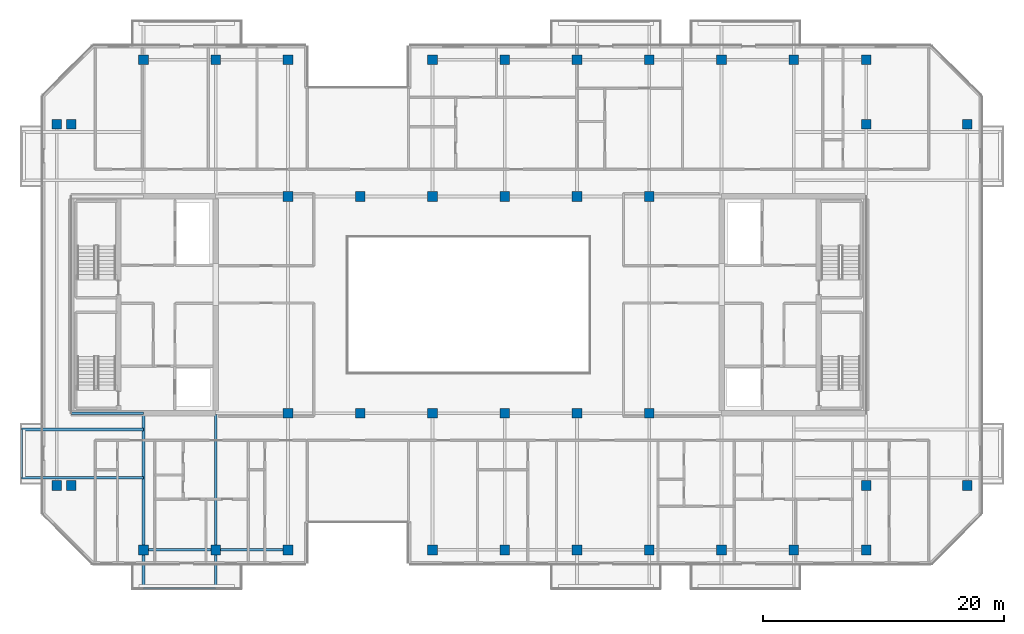
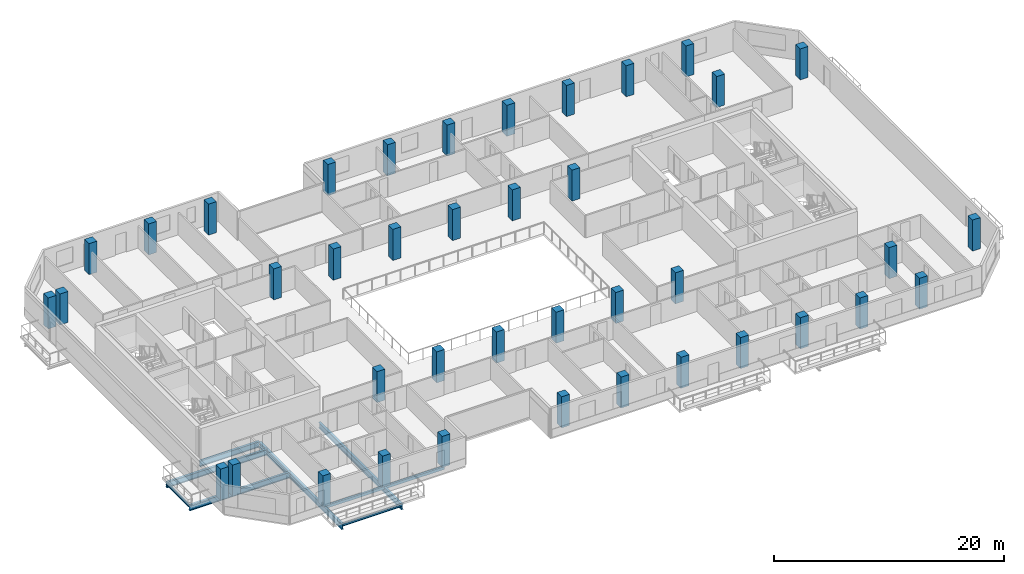
# One storey, part 1 of 20: 40 columns, 9 beams.
"""IFC4 building model written with IfcOpenShell, lengths in metres."""

from ifc_helpers import new_model, si_unit, direction, frame, origin, origin_2d, place, context, subcontext, project, spatial, rectangle, hollow_rectangle, i_section, extrude, material, material_profile, profile_set, type_object, element, save


model = new_model("IFC4")

# Units and contexts
model_context = context("Model", 3, precision=1e-05, world=origin(), true_north=direction((0.0, 1.0)))
body_context = subcontext(model_context, "Body", "Model", "MODEL_VIEW")
ifc_project = project(units=[si_unit("LENGTHUNIT", "METRE"), si_unit("AREAUNIT", "SQUARE_METRE"), si_unit("VOLUMEUNIT", "CUBIC_METRE"), si_unit("PLANEANGLEUNIT", "RADIAN"), si_unit("MASSUNIT", "GRAM", prefix="KILO")], contexts=[model_context])

# Site, building, storey
site_placement = place(None, origin())
site = spatial("IfcSite", under=ifc_project, at=site_placement, CompositionType="ELEMENT")
building_placement = place(site_placement, origin())
building = spatial("IfcBuilding", under=site, at=building_placement, Name="Tanjung Sevakor Pilgrim Tower", CompositionType="ELEMENT")
storey_placement = place(building_placement, frame((0.0, 0.0, 201.6298828125)))
storey = spatial("IfcBuildingStorey", under=building, at=storey_placement, Name="L56", CompositionType="ELEMENT", Elevation=201.6298828125)

# Columns
ifc_material_1 = material(Name="Concrete C60/75", Category="concrete")
ifc_material_profile_1 = material_profile(ifc_material_1, rectangle(XDim=0.800048828125, YDim=0.800048828125, at=origin_2d()))
ifc_profile_set_1 = profile_set([ifc_material_profile_1], Name="Concrete C60/75")
column_type = type_object("IfcColumnType", Name="COL-C-T800-RC_800x800", PredefinedType="COLUMN", material=ifc_profile_set_1)
for number, where, z_axis, x_axis, name in (
    (1, (42.0, 24.60009765625, 0.0), (0.0, 0.0, 1.0), (1.0, 0.0, 0.0), "L56 Column SPW-042-246"),
    (2, (42.0, 42.60009765625, 0.0), (0.0, 0.0, 1.0), (1.0, 0.0, 0.0), "L56 Column SPW-042-426"),
    (3, (48.0, 24.60009765625, 0.0), (0.0, 0.0, 1.0), (1.0, 0.0, 0.0), "L56 Column SPW-048-246"),
    (4, (48.0, 42.60009765625, 0.0), (0.0, 0.0, 1.0), (1.0, 0.0, 0.0), "L56 Column SPW-048-426"),
    (5, (54.0, 24.60009765625, 0.0), (0.0, 0.0, 1.0), (1.0, 0.0, 0.0), "L56 Column SPE-054-246"),
    (6, (54.0, 42.60009765625, 0.0), (0.0, 0.0, 1.0), (1.0, 0.0, 0.0), "L56 Column SPE-054-426"),
    (7, (60.0, 24.60009765625, 0.0), (0.0, 0.0, 1.0), (1.0, 0.0, 0.0), "L56 Column SPE-060-246"),
    (8, (60.0, 42.60009765625, 0.0), (0.0, 0.0, 1.0), (1.0, 0.0, 0.0), "L56 Column SPE-060-426"),
    (9, (66.0, 24.60009765625, 0.0), (0.0, 0.0, 1.0), (1.0, 0.0, 0.0), "L56 Column SPE-066-246"),
    (10, (66.0, 42.60009765625, 0.0), (0.0, 0.0, 1.0), (1.0, 0.0, 0.0), "L56 Column SPE-066-426"),
    (11, (72.0, 24.60009765625, 0.0), (0.0, 0.0, 1.0), (1.0, 0.0, 0.0), "L56 Column SPE-072-246"),
    (12, (72.0, 42.60009765625, 0.0), (0.0, 0.0, 1.0), (1.0, 0.0, 0.0), "L56 Column SPE-072-426"),
    (13, (22.800048828125, 18.60009765625, 0.0), (0.0, 0.0, 1.0), (1.0, 0.0, 0.0), "L56 Column TCE-0228-186"),
    (14, (22.800048828125, 48.60009765625, 0.0), (0.0, 0.0, 1.0), (1.0, 0.0, 0.0), "L56 Column TCE-0228-486"),
    (15, (24.0, 18.60009765625, 0.0), (0.0, 0.0, 1.0), (1.0, 0.0, 0.0), "L56 Column TCE-0240-186"),
    (16, (24.0, 48.60009765625, 0.0), (0.0, 0.0, 1.0), (1.0, 0.0, 0.0), "L56 Column TCE-0240-486"),
    (17, (90.0, 18.60009765625, 0.0), (0.0, 0.0, 1.0), (1.0, 0.0, 0.0), "L56 Column TCE-0900-186"),
    (18, (90.0, 48.60009765625, 0.0), (0.0, 0.0, 1.0), (1.0, 0.0, 0.0), "L56 Column TCE-0900-486"),
    (19, (98.39990234375, 18.60009765625, 0.0), (0.0, 0.0, 1.0), (1.0, 0.0, 0.0), "L56 Column TCE-0984-186"),
    (20, (98.39990234375, 48.60009765625, 0.0), (0.0, 0.0, 1.0), (1.0, 0.0, 0.0), "L56 Column TCE-0984-486"),
    (21, (30.0, 13.25, 0.0), (0.0, 0.0, 1.0), (1.0, 0.0, 0.0), "L56 Column TC4-030-132"),
    (22, (30.0, 53.949951171875, 0.0), (0.0, 0.0, 1.0), (1.0, 0.0, 0.0), "L56 Column TC4-030-540"),
    (23, (36.0, 13.25, 0.0), (0.0, 0.0, 1.0), (1.0, 0.0, 0.0), "L56 Column TC4-036-132"),
    (24, (36.0, 53.949951171875, 0.0), (0.0, 0.0, 1.0), (1.0, 0.0, 0.0), "L56 Column TC4-036-540"),
    (25, (42.0, 13.25, 0.0), (0.0, 0.0, 1.0), (1.0, 0.0, 0.0), "L56 Column TC4-042-132"),
    (26, (42.0, 53.949951171875, 0.0), (0.0, 0.0, 1.0), (1.0, 0.0, 0.0), "L56 Column TC4-042-540"),
    (27, (54.0, 13.25, 0.0), (0.0, 0.0, 1.0), (1.0, 0.0, 0.0), "L56 Column TC4-054-132"),
    (28, (54.0, 53.949951171875, 0.0), (0.0, 0.0, 1.0), (1.0, 0.0, 0.0), "L56 Column TC4-054-540"),
    (29, (60.0, 13.25, 0.0), (0.0, 0.0, 1.0), (1.0, 0.0, 0.0), "L56 Column TC4-060-132"),
    (30, (60.0, 53.949951171875, 0.0), (0.0, 0.0, 1.0), (1.0, 0.0, 0.0), "L56 Column TC4-060-540"),
    (31, (66.0, 13.25, 0.0), (0.0, 0.0, 1.0), (1.0, 0.0, 0.0), "L56 Column TC4-066-132"),
    (32, (66.0, 53.949951171875, 0.0), (0.0, 0.0, 1.0), (1.0, 0.0, 0.0), "L56 Column TC4-066-540"),
    (33, (72.0, 13.25, 0.0), (0.0, 0.0, 1.0), (1.0, 0.0, 0.0), "L56 Column TC4-072-132"),
    (34, (72.0, 53.949951171875, 0.0), (0.0, 0.0, 1.0), (1.0, 0.0, 0.0), "L56 Column TC4-072-540"),
    (35, (78.0, 13.25, 0.0), (0.0, 0.0, 1.0), (1.0, 0.0, 0.0), "L56 Column TC4-078-132"),
    (36, (78.0, 53.949951171875, 0.0), (0.0, 0.0, 1.0), (1.0, 0.0, 0.0), "L56 Column TC4-078-540"),
    (37, (84.0, 13.25, 0.0), (0.0, 0.0, 1.0), (1.0, 0.0, 0.0), "L56 Column TC4-084-132"),
    (38, (84.0, 53.949951171875, 0.0), (0.0, 0.0, 1.0), (1.0, 0.0, 0.0), "L56 Column TC4-084-540"),
    (39, (90.0, 13.25, 0.0), (0.0, 0.0, 1.0), (1.0, 0.0, 0.0), "L56 Column TC4-090-132"),
    (40, (90.0, 53.949951171875, 0.0), (0.0, 0.0, 1.0), (1.0, 0.0, 0.0), "L56 Column TC4-090-540"),
):
    element("IfcColumn", number, at=place(storey_placement, frame(where, z_axis=z_axis, x_axis=x_axis)), inside=storey, type_object=column_type, Name=name, PredefinedType="COLUMN", context=body_context, shape_type="SweptSolid", body=[
        extrude(rectangle(XDim=0.800048828125, YDim=0.800048828125, at=origin_2d()), origin(), (0.0, 0.0, 1.0), 3.300048828125),
    ])

# Beams
ifc_material_2 = material(Name="Steel S355J2", Category="steel")
ifc_material_profile_2 = material_profile(ifc_material_2, i_section(OverallWidth=0.22900390625, OverallDepth=0.6123046875, WebThickness=0.011962890625, FlangeThickness=0.01953125, FilletRadius=0.0126953125, at=origin_2d()))
ifc_profile_set_2 = profile_set([ifc_material_profile_2], Name="Steel S355J2")
beam_type_1 = type_object("IfcBeamType", Name="BM-B-G4-UB_610x229x125", PredefinedType="BEAM", material=ifc_profile_set_2)
for number, where, z_axis, x_axis, name in (
    (41, (30.0, 19.25, -0.52587890625), (-1.0, 0.0, 0.0), (0.0, -1.0, 0.0), "L56 Balcony Overhanging Beam MAIN-W1-1"),
    (42, (30.0, 23.25, -0.52587890625), (-1.0, 0.0, 0.0), (0.0, -1.0, 0.0), "L56 Balcony Overhanging Beam MAIN-W1-2"),
):
    element("IfcBeam", number, at=place(storey_placement, frame(where, z_axis=z_axis, x_axis=x_axis)), inside=storey, type_object=beam_type_1, Name=name, PredefinedType="BEAM", context=body_context, shape_type="SweptSolid", body=[
        extrude(i_section(OverallWidth=0.22900390625, OverallDepth=0.6123046875, WebThickness=0.011962890625, FlangeThickness=0.01953125, FilletRadius=0.0126953125, at=origin_2d()), origin(), (0.0, 0.0, 1.0), 10.1298828125),
    ])
beam_1_placement = place(storey_placement, frame((24.0, 24.60009765625, -0.52587890625), z_axis=(1.0, 0.0, 0.0), x_axis=(0.0, 1.0, 0.0)))
element("IfcBeam", 43, at=beam_1_placement, inside=storey, type_object=beam_type_1, Name="L56 Primary Floor Girder MAIN Y246-01", PredefinedType="BEAM", context=body_context, shape_type="SweptSolid", body=[
    extrude(i_section(OverallWidth=0.22900390625, OverallDepth=0.6123046875, WebThickness=0.011962890625, FlangeThickness=0.01953125, FilletRadius=0.0126953125, at=origin_2d()), origin(), (0.0, 0.0, 1.0), 6.0),
])
for number, where, z_axis, x_axis, name in (
    (44, (30.0, 24.485595703125, -0.52587890625), (0.0, -1.0, 0.0), (1.0, 0.0, 0.0), "L56 Balcony Cantilever Beam MAIN-S1-1"),
    (45, (36.0, 24.485595703125, -0.52587890625), (0.0, -1.0, 0.0), (1.0, 0.0, 0.0), "L56 Balcony Cantilever Beam MAIN-S1-2"),
):
    element("IfcBeam", number, at=place(storey_placement, frame(where, z_axis=z_axis, x_axis=x_axis)), inside=storey, type_object=beam_type_1, Name=name, PredefinedType="BEAM", context=body_context, shape_type="SweptSolid", body=[
        extrude(i_section(OverallWidth=0.22900390625, OverallDepth=0.6123046875, WebThickness=0.011962890625, FlangeThickness=0.01953125, FilletRadius=0.0126953125, at=origin_2d()), origin(), (0.0, 0.0, 1.0), 14.41552734375),
    ])
ifc_material_3 = material(Name="Steel S355J2", Category="steel")
ifc_material_profile_3 = material_profile(ifc_material_3, i_section(OverallWidth=0.146484375, OverallDepth=0.256103515625, WebThickness=0.00634765625, FlangeThickness=0.010986328125, FilletRadius=0.007568359375, at=origin_2d()))
ifc_profile_set_3 = profile_set([ifc_material_profile_3], Name="Steel S355J2")
beam_type_2 = type_object("IfcBeamType", Name="BM-B-J6-UB_254x146x37", PredefinedType="JOIST", material=ifc_profile_set_3)
beam_2_placement = place(storey_placement, frame((30.0, 10.070068359375, -0.327880859375), z_axis=(1.0, 0.0, 0.0), x_axis=(0.0, 1.0, 0.0)))
element("IfcBeam", 46, at=beam_2_placement, inside=storey, type_object=beam_type_2, Name="L56 Balcony Rim Tie MAIN-S1", PredefinedType="JOIST", context=body_context, shape_type="SweptSolid", body=[
    extrude(i_section(OverallWidth=0.146484375, OverallDepth=0.256103515625, WebThickness=0.00634765625, FlangeThickness=0.010986328125, FilletRadius=0.007568359375, at=origin_2d()), origin(), (0.0, 0.0, 1.0), 6.0),
])
beam_3_placement = place(storey_placement, frame((19.8701171875, 19.25, -0.327880859375), z_axis=(0.0, 1.0, 0.0), x_axis=(-1.0, 0.0, 0.0)))
element("IfcBeam", 47, at=beam_3_placement, inside=storey, type_object=beam_type_2, Name="L56 Balcony Rim Tie MAIN-W1", PredefinedType="JOIST", context=body_context, shape_type="SweptSolid", body=[
    extrude(i_section(OverallWidth=0.146484375, OverallDepth=0.256103515625, WebThickness=0.00634765625, FlangeThickness=0.010986328125, FilletRadius=0.007568359375, at=origin_2d()), origin(), (0.0, 0.0, 1.0), 4.0),
])
ifc_material_4 = material(Name="Steel S355J2", Category="steel")
ifc_material_profile_4 = material_profile(ifc_material_4, hollow_rectangle(XDim=0.199951171875, YDim=0.300048828125, WallThickness=0.012451171875, at=origin_2d()))
ifc_profile_set_4 = profile_set([ifc_material_profile_4], Name="Steel S355J2")
beam_type_3 = type_object("IfcBeamType", Name="BM-B-SP3-RHS_300x200x12.5", PredefinedType="SPANDREL", material=ifc_profile_set_4)
for number, where, z_axis, x_axis, name in (
    (48, (30.0, 13.25, -0.369873046875), (1.0, 0.0, 0.0), (0.0, 1.0, 0.0), "L56 Spandrel MAIN S-01"),
    (49, (36.0, 13.25, -0.369873046875), (1.0, 0.0, 0.0), (0.0, 1.0, 0.0), "L56 Spandrel MAIN S-03"),
):
    element("IfcBeam", number, at=place(storey_placement, frame(where, z_axis=z_axis, x_axis=x_axis)), inside=storey, type_object=beam_type_3, Name=name, PredefinedType="SPANDREL", context=body_context, shape_type="SweptSolid", body=[
        extrude(hollow_rectangle(XDim=0.199951171875, YDim=0.300048828125, WallThickness=0.012451171875, at=origin_2d()), origin(), (0.0, 0.0, 1.0), 6.0),
    ])

save(model, "model.ifc")
